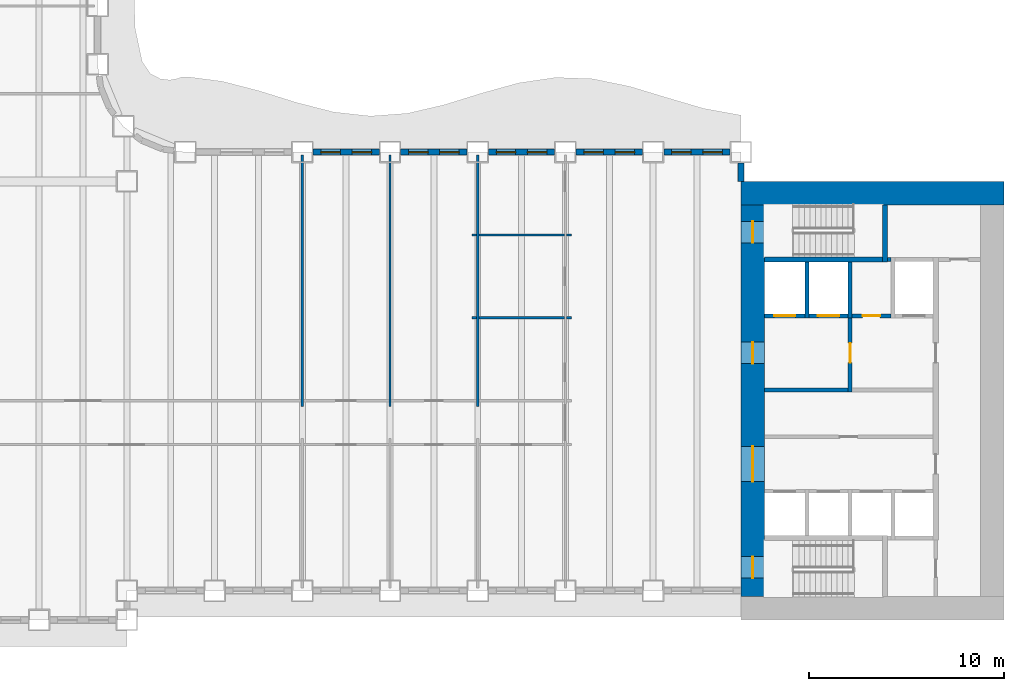
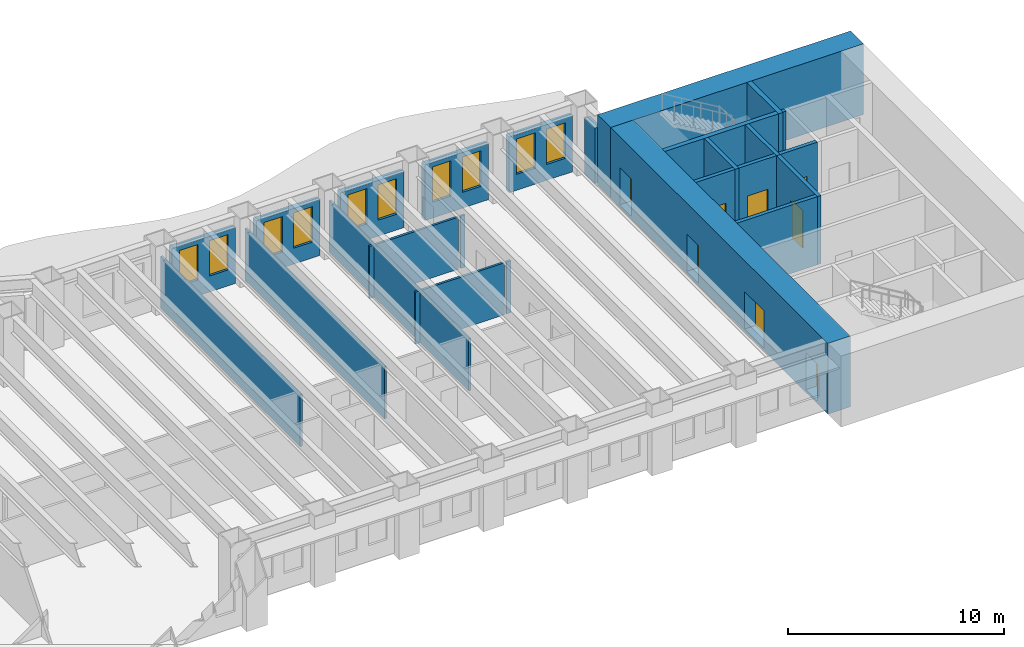
# One storey, part 6 of 15: 27 walls, 10 windows, 8 doors, 18 openings.
"""IFC4 building model written with IfcOpenShell, lengths in metres."""

from ifc_helpers import new_model, si_unit, direction, frame, frame_2d, origin, place, context, subcontext, project, spatial, rectangle, extrude, material, layer, layer_set, type_object, element, fill, save


model = new_model("IFC4")

# Units and contexts
model_context = context("Model", 3, precision=1e-05, world=origin(), true_north=direction((0.0, 1.0)))
body_context = subcontext(model_context, "Body", "Model", "MODEL_VIEW")
ifc_project = project(units=[si_unit("LENGTHUNIT", "METRE"), si_unit("AREAUNIT", "SQUARE_METRE"), si_unit("VOLUMEUNIT", "CUBIC_METRE"), si_unit("PLANEANGLEUNIT", "RADIAN"), si_unit("MASSUNIT", "GRAM", prefix="KILO")], contexts=[model_context])

# Site, building, storey
site_placement = place(None, origin())
site = spatial("IfcSite", under=ifc_project, at=site_placement, CompositionType="ELEMENT")
building_placement = place(site_placement, origin())
building = spatial("IfcBuilding", under=site, at=building_placement, Name="Sennacour Bend Tower", CompositionType="ELEMENT")
storey_placement = place(building_placement, frame((0.0, 0.0, 65.0)))
storey = spatial("IfcBuildingStorey", under=building, at=storey_placement, Name="L14", CompositionType="ELEMENT", Elevation=65.0)

# Wall
ifc_material_1 = material(Name="Concrete C80/95", Category="concrete")
ifc_layer_1 = layer(ifc_material_1, 1.199951171875, Name="Concrete C80/95", Category="concrete")
ifc_layer_set_1 = layer_set([ifc_layer_1], Name="Concrete C80/95")
wall_type_1 = type_object("IfcWallType", Name="Core wall 1200 C80/95", PredefinedType="SHEAR", material=ifc_layer_set_1)
wall_1_placement = place(storey_placement, frame((54.0, 21.89990234375, -0.14990234375), z_axis=(0.0, 0.0, 1.0), x_axis=(1.0, 0.0, 0.0)))
element("IfcWall", 1, at=wall_1_placement, inside=storey, type_object=wall_type_1, Name="Core A wall L14 N", PredefinedType="SHEAR", context=body_context, shape_type="SweptSolid", body=[
    extrude(rectangle(XDim=13.5, YDim=1.199951171875, at=frame_2d((6.75, 0.0))), origin(), (0.0, 0.0, 1.0), 4.0),
])

# Wall, openings, doors
wall_2_placement = place(storey_placement, frame((54.60009765625, 1.199951171875, -0.14990234375), z_axis=(0.0, 0.0, 1.0), x_axis=(0.0, 1.0, 0.0)))
wall_2 = element("IfcWall", 2, at=wall_2_placement, inside=storey, type_object=wall_type_1, Name="Core A wall L14 W", PredefinedType="SHEAR", context=body_context, shape_type="SweptSolid", body=[
    extrude(rectangle(XDim=20.10009765625, YDim=1.199951171875, at=frame_2d((10.050048828125, 0.0))), origin(), (0.0, 0.0, 1.0), 4.0),
])
opening_1_placement = place(wall_2_placement, frame((5.89990234375, 0.0, 0.14990234375)))
opening_1 = element("IfcOpeningElement", 3, at=opening_1_placement, cuts=wall_2, Name="Opening CD", PredefinedType="OPENING", context=body_context, shape_type="SweptSolid", body=[
    extrude(rectangle(XDim=1.800048828125, YDim=2.10009765625, at=frame_2d((0.89990234375, 1.050048828125))), frame((0.0, 0.60986328125, 0.0), z_axis=(0.0, -1.0, 0.0), x_axis=(1.0, 0.0, 0.0)), (0.0, 0.0, 1.0), 1.219970703125),
])
opening_2_placement = place(wall_2_placement, frame((11.949951171875, 0.0, 0.14990234375)))
opening_2 = element("IfcOpeningElement", 4, at=opening_2_placement, cuts=wall_2, Name="Opening FD", PredefinedType="OPENING", context=body_context, shape_type="SweptSolid", body=[
    extrude(rectangle(XDim=1.10009765625, YDim=2.10009765625, at=frame_2d((0.550048828125, 1.050048828125))), frame((0.0, 0.60986328125, 0.0), z_axis=(0.0, -1.0, 0.0), x_axis=(1.0, 0.0, 0.0)), (0.0, 0.0, 1.0), 1.219970703125),
])
opening_3_placement = place(wall_2_placement, frame((0.949951171875, 0.0, 0.14990234375)))
opening_3 = element("IfcOpeningElement", 5, at=opening_3_placement, cuts=wall_2, Name="Opening SD", PredefinedType="OPENING", context=body_context, shape_type="SweptSolid", body=[
    extrude(rectangle(XDim=1.10009765625, YDim=2.10009765625, at=frame_2d((0.550048828125, 1.050048828125))), frame((0.0, 0.60986328125, 0.0), z_axis=(0.0, -1.0, 0.0), x_axis=(1.0, 0.0, 0.0)), (0.0, 0.0, 1.0), 1.219970703125),
])
opening_4_placement = place(wall_2_placement, frame((18.14990234375, 0.0, 0.14990234375)))
opening_4 = element("IfcOpeningElement", 6, at=opening_4_placement, cuts=wall_2, Name="Opening SD", PredefinedType="OPENING", context=body_context, shape_type="SweptSolid", body=[
    extrude(rectangle(XDim=1.10009765625, YDim=2.10009765625, at=frame_2d((0.550048828125, 1.050048828125))), frame((0.0, 0.60986328125, 0.0), z_axis=(0.0, -1.0, 0.0), x_axis=(1.0, 0.0, 0.0)), (0.0, 0.0, 1.0), 1.219970703125),
])
ifc_material_2 = material(Name="Painted steel", Category="steel")
door_type_1 = type_object("IfcDoorType", Name="DR-FFL-1100", OperationType="NOTDEFINED", PredefinedType="DOOR", material=ifc_material_2)
door_1_placement = place(opening_2_placement, origin())
door_1 = element("IfcDoor", 7, at=door_1_placement, inside=storey, type_object=door_type_1, Name="Door", OperationType="SINGLE_SWING_RIGHT", OverallHeight=2.10009765625, OverallWidth=1.10009765625, PredefinedType="DOOR", context=body_context, shape_type="SweptSolid", body=[
    extrude(rectangle(XDim=1.10009765625, YDim=2.10009765625, at=frame_2d((0.550048828125, 1.050048828125))), frame((0.0, 0.02490234375, 0.0), z_axis=(0.0, -1.0, 0.0), x_axis=(1.0, 0.0, 0.0)), (0.0, 0.0, 1.0), 0.050048828125),
])
fill(opening_2, door_1)
door_type_2 = type_object("IfcDoorType", Name="DR-LOBBY-1800", OperationType="NOTDEFINED", PredefinedType="DOOR", material=ifc_material_2)
door_2_placement = place(opening_1_placement, origin())
door_2 = element("IfcDoor", 8, at=door_2_placement, inside=storey, type_object=door_type_2, Name="Door", OperationType="DOUBLE_DOOR_SINGLE_SWING", OverallHeight=2.10009765625, OverallWidth=1.800048828125, PredefinedType="DOOR", context=body_context, shape_type="SweptSolid", body=[
    extrude(rectangle(XDim=1.800048828125, YDim=2.10009765625, at=frame_2d((0.89990234375, 1.050048828125))), frame((0.0, 0.02490234375, 0.0), z_axis=(0.0, -1.0, 0.0), x_axis=(1.0, 0.0, 0.0)), (0.0, 0.0, 1.0), 0.050048828125),
])
fill(opening_1, door_2)
door_type_3 = type_object("IfcDoorType", Name="DR-STAIR-1100", OperationType="NOTDEFINED", PredefinedType="DOOR", material=ifc_material_2)
door_3_placement = place(opening_3_placement, origin())
door_3 = element("IfcDoor", 9, at=door_3_placement, inside=storey, type_object=door_type_3, Name="Door", OperationType="SINGLE_SWING_LEFT", OverallHeight=2.10009765625, OverallWidth=1.10009765625, PredefinedType="DOOR", context=body_context, shape_type="SweptSolid", body=[
    extrude(rectangle(XDim=1.10009765625, YDim=2.10009765625, at=frame_2d((0.550048828125, 1.050048828125))), frame((0.0, 0.02490234375, 0.0), z_axis=(0.0, -1.0, 0.0), x_axis=(1.0, 0.0, 0.0)), (0.0, 0.0, 1.0), 0.050048828125),
])
fill(opening_3, door_3)
door_4_placement = place(opening_4_placement, origin())
door_4 = element("IfcDoor", 10, at=door_4_placement, inside=storey, type_object=door_type_3, Name="Door", OperationType="SINGLE_SWING_RIGHT", OverallHeight=2.10009765625, OverallWidth=1.10009765625, PredefinedType="DOOR", context=body_context, shape_type="SweptSolid", body=[
    extrude(rectangle(XDim=1.10009765625, YDim=2.10009765625, at=frame_2d((0.550048828125, 1.050048828125))), frame((0.0, 0.02490234375, 0.0), z_axis=(0.0, -1.0, 0.0), x_axis=(1.0, 0.0, 0.0)), (0.0, 0.0, 1.0), 0.050048828125),
])
fill(opening_4, door_4)

# Walls
ifc_material_3 = material(Name="Plasterboard partition on steel studs", Category="steel")
ifc_layer_2 = layer(ifc_material_3, 0.1201171875, Name="Plasterboard partition on steel studs", Category="steel")
ifc_layer_set_2 = layer_set([ifc_layer_2], Name="Plasterboard partition on steel studs")
wall_type_2 = type_object("IfcWallType", Name="Partition 120", PredefinedType="PARTITIONING", material=ifc_layer_set_2)
for number, where, z_axis, x_axis, name in (
    (11, (31.5, 10.949951171875, 0.0), (0.0, 0.0, 1.0), (0.0, 1.0, 0.0), "P-L14-W024a"),
    (12, (36.0, 10.949951171875, 0.0), (0.0, 0.0, 1.0), (0.0, 1.0, 0.0), "P-L14-W026a"),
    (13, (40.5, 10.949951171875, 0.0), (0.0, 0.0, 1.0), (0.0, 1.0, 0.0), "P-L14-W028a"),
):
    element("IfcWall", number, at=place(storey_placement, frame(where, z_axis=z_axis, x_axis=x_axis)), inside=storey, type_object=wall_type_2, Name=name, PredefinedType="PARTITIONING", context=body_context, shape_type="SweptSolid", body=[
        extrude(rectangle(XDim=12.900146484375, YDim=0.1201171875, at=frame_2d((6.4501953125, 0.0))), origin(), (0.0, 0.0, 1.0), 2.93798828125),
    ])
wall_3_placement = place(storey_placement, frame((40.199951171875, 15.5, 0.0), z_axis=(0.0, 0.0, 1.0), x_axis=(1.0, 0.0, 0.0)))
element("IfcWall", 14, at=wall_3_placement, inside=storey, type_object=wall_type_2, Name="P-L14-W055aa", PredefinedType="PARTITIONING", context=body_context, shape_type="SweptSolid", body=[
    extrude(rectangle(XDim=0.239990234375, YDim=0.1201171875, at=frame_2d((0.1201171875, 0.0))), origin(), (0.0, 0.0, 1.0), 2.93798828125),
])
wall_4_placement = place(storey_placement, frame((40.56005859375, 15.5, 0.0), z_axis=(0.0, 0.0, 1.0), x_axis=(1.0, 0.0, 0.0)))
element("IfcWall", 15, at=wall_4_placement, inside=storey, type_object=wall_type_2, Name="P-L14-W055ab", PredefinedType="PARTITIONING", context=body_context, shape_type="SweptSolid", body=[
    extrude(rectangle(XDim=4.3798828125, YDim=0.1201171875, at=frame_2d((2.18994140625, 0.0))), origin(), (0.0, 0.0, 1.0), 2.93798828125),
])
for number, where, z_axis, x_axis, name in (
    (16, (45.06005859375, 15.5, 0.0), (0.0, 0.0, 1.0), (1.0, 0.0, 0.0), "P-L14-W055ac"),
    (17, (40.199951171875, 19.75, 0.0), (0.0, 0.0, 1.0), (1.0, 0.0, 0.0), "P-L14-W064aa"),
):
    element("IfcWall", number, at=place(storey_placement, frame(where, z_axis=z_axis, x_axis=x_axis)), inside=storey, type_object=wall_type_2, Name=name, PredefinedType="PARTITIONING", context=body_context, shape_type="SweptSolid", body=[
        extrude(rectangle(XDim=0.239990234375, YDim=0.1201171875, at=frame_2d((0.1201171875, 0.0))), origin(), (0.0, 0.0, 1.0), 2.93798828125),
    ])
wall_5_placement = place(storey_placement, frame((40.56005859375, 19.75, 0.0), z_axis=(0.0, 0.0, 1.0), x_axis=(1.0, 0.0, 0.0)))
element("IfcWall", 18, at=wall_5_placement, inside=storey, type_object=wall_type_2, Name="P-L14-W064ab", PredefinedType="PARTITIONING", context=body_context, shape_type="SweptSolid", body=[
    extrude(rectangle(XDim=4.3798828125, YDim=0.1201171875, at=frame_2d((2.18994140625, 0.0))), origin(), (0.0, 0.0, 1.0), 2.93798828125),
])
wall_6_placement = place(storey_placement, frame((45.06005859375, 19.75, 0.0), z_axis=(0.0, 0.0, 1.0), x_axis=(1.0, 0.0, 0.0)))
element("IfcWall", 19, at=wall_6_placement, inside=storey, type_object=wall_type_2, Name="P-L14-W064ac", PredefinedType="PARTITIONING", context=body_context, shape_type="SweptSolid", body=[
    extrude(rectangle(XDim=0.239990234375, YDim=0.1201171875, at=frame_2d((0.1201171875, 0.0))), origin(), (0.0, 0.0, 1.0), 2.93798828125),
])
ifc_material_4 = material(Name="Fire-rated plasterboard partition on steel studs", Category="steel")
ifc_layer_3 = layer(ifc_material_4, 0.199951171875, Name="Fire-rated plasterboard partition on steel studs", Category="steel")
ifc_layer_set_3 = layer_set([ifc_layer_3], Name="Fire-rated plasterboard partition on steel studs")
wall_type_3 = type_object("IfcWallType", Name="Rated partition 200", PredefinedType="PARTITIONING", material=ifc_layer_set_3)
wall_7_placement = place(storey_placement, frame((55.199951171875, 11.800048828125, 0.0), z_axis=(0.0, 0.0, 1.0), x_axis=(1.0, 0.0, 0.0)))
element("IfcWall", 20, at=wall_7_placement, inside=storey, type_object=wall_type_3, Name="P-L14-W054a", PredefinedType="PARTITIONING", context=body_context, shape_type="SweptSolid", body=[
    extrude(rectangle(XDim=4.300048828125, YDim=0.199951171875, at=frame_2d((2.14990234375, 0.0))), origin(), (0.0, 0.0, 1.0), 3.85009765625),
])

# Wall, opening, door
wall_8_placement = place(storey_placement, frame((59.699951171875, 15.60009765625, 0.0), z_axis=(0.0, 0.0, 1.0), x_axis=(1.0, 0.0, 0.0)))
wall_8 = element("IfcWall", 21, at=wall_8_placement, inside=storey, type_object=wall_type_3, Name="P-L14-W057", PredefinedType="PARTITIONING", context=body_context, shape_type="SweptSolid", body=[
    extrude(rectangle(XDim=2.0, YDim=0.199951171875, at=frame_2d((1.0, 0.0))), origin(), (0.0, 0.0, 1.0), 3.85009765625),
])
opening_5_placement = place(wall_8_placement, frame((0.550048828125, 0.0, 0.0)))
opening_5 = element("IfcOpeningElement", 22, at=opening_5_placement, cuts=wall_8, Name="Opening SV", PredefinedType="OPENING", context=body_context, shape_type="SweptSolid", body=[
    extrude(rectangle(XDim=0.89990234375, YDim=2.10009765625, at=frame_2d((0.449951171875, 1.050048828125))), frame((0.0, 0.10986328125, 0.0), z_axis=(0.0, -1.0, 0.0), x_axis=(1.0, 0.0, 0.0)), (0.0, 0.0, 1.0), 0.219970703125),
])
door_type_4 = type_object("IfcDoorType", Name="DR-SERVICE-900", OperationType="NOTDEFINED", PredefinedType="DOOR", material=ifc_material_2)
door_5_placement = place(opening_5_placement, origin())
door_5 = element("IfcDoor", 23, at=door_5_placement, inside=storey, type_object=door_type_4, Name="Door", OperationType="SINGLE_SWING_RIGHT", OverallHeight=2.10009765625, OverallWidth=0.89990234375, PredefinedType="DOOR", context=body_context, shape_type="SweptSolid", body=[
    extrude(rectangle(XDim=0.89990234375, YDim=2.10009765625, at=frame_2d((0.449951171875, 1.050048828125))), frame((0.0, 0.02490234375, 0.0), z_axis=(0.0, -1.0, 0.0), x_axis=(1.0, 0.0, 0.0)), (0.0, 0.0, 1.0), 0.050048828125),
])
fill(opening_5, door_5)

# Wall
wall_9_placement = place(storey_placement, frame((61.52490234375, 18.5, 0.0), z_axis=(0.0, 0.0, 1.0), x_axis=(1.0, 0.0, 0.0)))
element("IfcWall", 24, at=wall_9_placement, inside=storey, type_object=wall_type_3, Name="P-L14-W061", PredefinedType="PARTITIONING", context=body_context, shape_type="SweptSolid", body=[
    extrude(rectangle(XDim=0.175048828125, YDim=0.199951171875, at=frame_2d((0.08740234375, 0.0))), origin(), (0.0, 0.0, 1.0), 3.85009765625),
])

# Wall, opening, door
ifc_layer_4 = layer(ifc_material_4, 0.199951171875, Name="Fire-rated plasterboard partition on steel studs", Category="steel")
ifc_layer_set_4 = layer_set([ifc_layer_4], Name="Fire-rated plasterboard partition on steel studs")
wall_type_4 = type_object("IfcWallType", Name="Rated partition 200 EI 90", PredefinedType="PARTITIONING", material=ifc_layer_set_4)
wall_10_placement = place(storey_placement, frame((59.60009765625, 11.699951171875, 0.0), z_axis=(0.0, 0.0, 1.0), x_axis=(0.0, 1.0, 0.0)))
wall_10 = element("IfcWall", 25, at=wall_10_placement, inside=storey, type_object=wall_type_4, Name="P-L14-W034", PredefinedType="PARTITIONING", context=body_context, shape_type="SweptSolid", body=[
    extrude(rectangle(XDim=3.800048828125, YDim=0.199951171875, at=frame_2d((1.89990234375, 0.0))), origin(), (0.0, 0.0, 1.0), 3.85009765625),
])
opening_6_placement = place(wall_10_placement, frame((1.5, 0.0, 0.0)))
opening_6 = element("IfcOpeningElement", 26, at=opening_6_placement, cuts=wall_10, Name="Opening FD2", PredefinedType="OPENING", context=body_context, shape_type="SweptSolid", body=[
    extrude(rectangle(XDim=1.0, YDim=2.10009765625, at=frame_2d((0.5, 1.050048828125))), frame((0.0, 0.10986328125, 0.0), z_axis=(0.0, -1.0, 0.0), x_axis=(1.0, 0.0, 0.0)), (0.0, 0.0, 1.0), 0.219970703125),
])
door_type_5 = type_object("IfcDoorType", Name="DR-FFL-1000", OperationType="NOTDEFINED", PredefinedType="DOOR", material=ifc_material_2)
door_6_placement = place(opening_6_placement, origin())
door_6 = element("IfcDoor", 27, at=door_6_placement, inside=storey, type_object=door_type_5, Name="Door", OperationType="SINGLE_SWING_RIGHT", OverallHeight=2.10009765625, OverallWidth=1.0, PredefinedType="DOOR", context=body_context, shape_type="SweptSolid", body=[
    extrude(rectangle(XDim=1.0, YDim=2.10009765625, at=frame_2d((0.5, 1.050048828125))), frame((0.0, 0.02490234375, 0.0), z_axis=(0.0, -1.0, 0.0), x_axis=(1.0, 0.0, 0.0)), (0.0, 0.0, 1.0), 0.050048828125),
])
fill(opening_6, door_6)

# Wall
ifc_material_5 = material(Name="Warm limestone cladding", Category="masonry")
ifc_layer_5 = layer(ifc_material_5, 0.050048828125, Name="Warm limestone cladding", Category="masonry")
ifc_material_6 = material(Name="Precast concrete C40/50", Category="concrete")
ifc_layer_6 = layer(ifc_material_6, 0.25, Name="Precast concrete C40/50", Category="concrete")
ifc_layer_set_5 = layer_set([ifc_layer_5, ifc_layer_6], Name="Precast concrete C40/50 with limestone cladding")
wall_type_5 = type_object("IfcWallType", Name="STONE-CLAD PRECAST SPANDREL 300", PredefinedType="STANDARD", material=ifc_layer_set_5)
wall_11_placement = place(storey_placement, frame((54.0, 22.5, 0.0), z_axis=(0.0, 0.0, 1.0), x_axis=(0.0, 1.0, 0.0)))
element("IfcWall", 28, at=wall_11_placement, inside=storey, type_object=wall_type_5, Name="Stone spandrel and pier wall L14 07.00", PredefinedType="STANDARD", context=body_context, shape_type="SweptSolid", body=[
    extrude(rectangle(XDim=0.949951171875, YDim=0.300048828125, at=frame_2d((0.47509765625, 0.0))), origin(), (0.0, 0.0, 1.0), 3.14404296875),
])

# Wall, openings, windows
wall_12_placement = place(storey_placement, frame((53.449951171875, 24.0, 0.0), z_axis=(0.0, 0.0, 1.0), x_axis=(-1.0, 0.0, 0.0)))
wall_12 = element("IfcWall", 29, at=wall_12_placement, inside=storey, type_object=wall_type_5, Name="Stone spandrel and pier wall L14 08.00", PredefinedType="STANDARD", context=body_context, shape_type="SweptSolid", body=[
    extrude(rectangle(XDim=3.39990234375, YDim=0.300048828125, at=frame_2d((1.699951171875, 0.0))), origin(), (0.0, 0.0, 1.0), 3.14404296875),
])
opening_7_placement = place(wall_12_placement, frame((0.39990234375, 0.0, 0.89990234375)))
opening_7 = element("IfcOpeningElement", 30, at=opening_7_placement, cuts=wall_12, Name="Opening W8", PredefinedType="OPENING", context=body_context, shape_type="SweptSolid", body=[
    extrude(rectangle(XDim=1.0, YDim=2.0, at=frame_2d((0.5, 1.0))), frame((0.0, 0.16015625, 0.0), z_axis=(0.0, -1.0, 0.0), x_axis=(1.0, 0.0, 0.0)), (0.0, 0.0, 1.0), 0.320068359375),
])
opening_8_placement = place(wall_12_placement, frame((2.0, 0.0, 0.89990234375)))
opening_8 = element("IfcOpeningElement", 31, at=opening_8_placement, cuts=wall_12, Name="Opening W8", PredefinedType="OPENING", context=body_context, shape_type="SweptSolid", body=[
    extrude(rectangle(XDim=1.0, YDim=2.0, at=frame_2d((0.5, 1.0))), frame((0.0, 0.16015625, 0.0), z_axis=(0.0, -1.0, 0.0), x_axis=(1.0, 0.0, 0.0)), (0.0, 0.0, 1.0), 0.320068359375),
])
ifc_material_7 = material(Name="Clear low-emissivity glass", Category="glass")
window_type = type_object("IfcWindowType", Name="WIN-RIBBON-1000x2000", PartitioningType="SINGLE_PANEL", PredefinedType="WINDOW", material=ifc_material_7)
window_1_placement = place(opening_7_placement, origin())
window_1 = element("IfcWindow", 32, at=window_1_placement, inside=storey, type_object=window_type, Name="Ribbon window L14 08.00.0", OverallHeight=2.0, OverallWidth=1.0, PartitioningType="SINGLE_PANEL", PredefinedType="WINDOW", context=body_context, shape_type="SweptSolid", body=[
    extrude(rectangle(XDim=1.0, YDim=2.0, at=frame_2d((0.5, 1.0))), frame((0.0, 0.030029296875, 0.0), z_axis=(0.0, -1.0, 0.0), x_axis=(1.0, 0.0, 0.0)), (0.0, 0.0, 1.0), 0.06005859375),
])
fill(opening_7, window_1)
window_2_placement = place(opening_8_placement, origin())
window_2 = element("IfcWindow", 33, at=window_2_placement, inside=storey, type_object=window_type, Name="Ribbon window L14 08.00.1", OverallHeight=2.0, OverallWidth=1.0, PartitioningType="SINGLE_PANEL", PredefinedType="WINDOW", context=body_context, shape_type="SweptSolid", body=[
    extrude(rectangle(XDim=1.0, YDim=2.0, at=frame_2d((0.5, 1.0))), frame((0.0, 0.030029296875, 0.0), z_axis=(0.0, -1.0, 0.0), x_axis=(1.0, 0.0, 0.0)), (0.0, 0.0, 1.0), 0.06005859375),
])
fill(opening_8, window_2)

wall_13_placement = place(storey_placement, frame((48.949951171875, 24.0, 0.0), z_axis=(0.0, 0.0, 1.0), x_axis=(-1.0, 0.0, 0.0)))
wall_13 = element("IfcWall", 34, at=wall_13_placement, inside=storey, type_object=wall_type_5, Name="Stone spandrel and pier wall L14 08.01", PredefinedType="STANDARD", context=body_context, shape_type="SweptSolid", body=[
    extrude(rectangle(XDim=3.39990234375, YDim=0.300048828125, at=frame_2d((1.699951171875, 0.0))), origin(), (0.0, 0.0, 1.0), 3.14404296875),
])
opening_9_placement = place(wall_13_placement, frame((0.39990234375, 0.0, 0.89990234375)))
opening_9 = element("IfcOpeningElement", 35, at=opening_9_placement, cuts=wall_13, Name="Opening W8", PredefinedType="OPENING", context=body_context, shape_type="SweptSolid", body=[
    extrude(rectangle(XDim=1.0, YDim=2.0, at=frame_2d((0.5, 1.0))), frame((0.0, 0.16015625, 0.0), z_axis=(0.0, -1.0, 0.0), x_axis=(1.0, 0.0, 0.0)), (0.0, 0.0, 1.0), 0.320068359375),
])
opening_10_placement = place(wall_13_placement, frame((2.0, 0.0, 0.89990234375)))
opening_10 = element("IfcOpeningElement", 36, at=opening_10_placement, cuts=wall_13, Name="Opening W8", PredefinedType="OPENING", context=body_context, shape_type="SweptSolid", body=[
    extrude(rectangle(XDim=1.0, YDim=2.0, at=frame_2d((0.5, 1.0))), frame((0.0, 0.16015625, 0.0), z_axis=(0.0, -1.0, 0.0), x_axis=(1.0, 0.0, 0.0)), (0.0, 0.0, 1.0), 0.320068359375),
])
window_3_placement = place(opening_9_placement, origin())
window_3 = element("IfcWindow", 37, at=window_3_placement, inside=storey, type_object=window_type, Name="Ribbon window L14 08.01.0", OverallHeight=2.0, OverallWidth=1.0, PartitioningType="SINGLE_PANEL", PredefinedType="WINDOW", context=body_context, shape_type="SweptSolid", body=[
    extrude(rectangle(XDim=1.0, YDim=2.0, at=frame_2d((0.5, 1.0))), frame((0.0, 0.030029296875, 0.0), z_axis=(0.0, -1.0, 0.0), x_axis=(1.0, 0.0, 0.0)), (0.0, 0.0, 1.0), 0.06005859375),
])
fill(opening_9, window_3)
window_4_placement = place(opening_10_placement, origin())
window_4 = element("IfcWindow", 38, at=window_4_placement, inside=storey, type_object=window_type, Name="Ribbon window L14 08.01.1", OverallHeight=2.0, OverallWidth=1.0, PartitioningType="SINGLE_PANEL", PredefinedType="WINDOW", context=body_context, shape_type="SweptSolid", body=[
    extrude(rectangle(XDim=1.0, YDim=2.0, at=frame_2d((0.5, 1.0))), frame((0.0, 0.030029296875, 0.0), z_axis=(0.0, -1.0, 0.0), x_axis=(1.0, 0.0, 0.0)), (0.0, 0.0, 1.0), 0.06005859375),
])
fill(opening_10, window_4)

wall_14_placement = place(storey_placement, frame((44.449951171875, 24.0, 0.0), z_axis=(0.0, 0.0, 1.0), x_axis=(-1.0, 0.0, 0.0)))
wall_14 = element("IfcWall", 39, at=wall_14_placement, inside=storey, type_object=wall_type_5, Name="Stone spandrel and pier wall L14 08.02", PredefinedType="STANDARD", context=body_context, shape_type="SweptSolid", body=[
    extrude(rectangle(XDim=3.39990234375, YDim=0.300048828125, at=frame_2d((1.699951171875, 0.0))), origin(), (0.0, 0.0, 1.0), 3.14404296875),
])
opening_11_placement = place(wall_14_placement, frame((0.39990234375, 0.0, 0.89990234375)))
opening_11 = element("IfcOpeningElement", 40, at=opening_11_placement, cuts=wall_14, Name="Opening W8", PredefinedType="OPENING", context=body_context, shape_type="SweptSolid", body=[
    extrude(rectangle(XDim=1.0, YDim=2.0, at=frame_2d((0.5, 1.0))), frame((0.0, 0.16015625, 0.0), z_axis=(0.0, -1.0, 0.0), x_axis=(1.0, 0.0, 0.0)), (0.0, 0.0, 1.0), 0.320068359375),
])
opening_12_placement = place(wall_14_placement, frame((2.0, 0.0, 0.89990234375)))
opening_12 = element("IfcOpeningElement", 41, at=opening_12_placement, cuts=wall_14, Name="Opening W8", PredefinedType="OPENING", context=body_context, shape_type="SweptSolid", body=[
    extrude(rectangle(XDim=1.0, YDim=2.0, at=frame_2d((0.5, 1.0))), frame((0.0, 0.16015625, 0.0), z_axis=(0.0, -1.0, 0.0), x_axis=(1.0, 0.0, 0.0)), (0.0, 0.0, 1.0), 0.320068359375),
])
window_5_placement = place(opening_11_placement, origin())
window_5 = element("IfcWindow", 42, at=window_5_placement, inside=storey, type_object=window_type, Name="Ribbon window L14 08.02.0", OverallHeight=2.0, OverallWidth=1.0, PartitioningType="SINGLE_PANEL", PredefinedType="WINDOW", context=body_context, shape_type="SweptSolid", body=[
    extrude(rectangle(XDim=1.0, YDim=2.0, at=frame_2d((0.5, 1.0))), frame((0.0, 0.030029296875, 0.0), z_axis=(0.0, -1.0, 0.0), x_axis=(1.0, 0.0, 0.0)), (0.0, 0.0, 1.0), 0.06005859375),
])
fill(opening_11, window_5)
window_6_placement = place(opening_12_placement, origin())
window_6 = element("IfcWindow", 43, at=window_6_placement, inside=storey, type_object=window_type, Name="Ribbon window L14 08.02.1", OverallHeight=2.0, OverallWidth=1.0, PartitioningType="SINGLE_PANEL", PredefinedType="WINDOW", context=body_context, shape_type="SweptSolid", body=[
    extrude(rectangle(XDim=1.0, YDim=2.0, at=frame_2d((0.5, 1.0))), frame((0.0, 0.030029296875, 0.0), z_axis=(0.0, -1.0, 0.0), x_axis=(1.0, 0.0, 0.0)), (0.0, 0.0, 1.0), 0.06005859375),
])
fill(opening_12, window_6)

wall_15_placement = place(storey_placement, frame((39.949951171875, 24.0, 0.0), z_axis=(0.0, 0.0, 1.0), x_axis=(-1.0, 0.0, 0.0)))
wall_15 = element("IfcWall", 44, at=wall_15_placement, inside=storey, type_object=wall_type_5, Name="Stone spandrel and pier wall L14 08.03", PredefinedType="STANDARD", context=body_context, shape_type="SweptSolid", body=[
    extrude(rectangle(XDim=3.39990234375, YDim=0.300048828125, at=frame_2d((1.699951171875, 0.0))), origin(), (0.0, 0.0, 1.0), 3.14404296875),
])
opening_13_placement = place(wall_15_placement, frame((0.39990234375, 0.0, 0.89990234375)))
opening_13 = element("IfcOpeningElement", 45, at=opening_13_placement, cuts=wall_15, Name="Opening W8", PredefinedType="OPENING", context=body_context, shape_type="SweptSolid", body=[
    extrude(rectangle(XDim=1.0, YDim=2.0, at=frame_2d((0.5, 1.0))), frame((0.0, 0.16015625, 0.0), z_axis=(0.0, -1.0, 0.0), x_axis=(1.0, 0.0, 0.0)), (0.0, 0.0, 1.0), 0.320068359375),
])
opening_14_placement = place(wall_15_placement, frame((2.0, 0.0, 0.89990234375)))
opening_14 = element("IfcOpeningElement", 46, at=opening_14_placement, cuts=wall_15, Name="Opening W8", PredefinedType="OPENING", context=body_context, shape_type="SweptSolid", body=[
    extrude(rectangle(XDim=1.0, YDim=2.0, at=frame_2d((0.5, 1.0))), frame((0.0, 0.16015625, 0.0), z_axis=(0.0, -1.0, 0.0), x_axis=(1.0, 0.0, 0.0)), (0.0, 0.0, 1.0), 0.320068359375),
])
window_7_placement = place(opening_13_placement, origin())
window_7 = element("IfcWindow", 47, at=window_7_placement, inside=storey, type_object=window_type, Name="Ribbon window L14 08.03.0", OverallHeight=2.0, OverallWidth=1.0, PartitioningType="SINGLE_PANEL", PredefinedType="WINDOW", context=body_context, shape_type="SweptSolid", body=[
    extrude(rectangle(XDim=1.0, YDim=2.0, at=frame_2d((0.5, 1.0))), frame((0.0, 0.030029296875, 0.0), z_axis=(0.0, -1.0, 0.0), x_axis=(1.0, 0.0, 0.0)), (0.0, 0.0, 1.0), 0.06005859375),
])
fill(opening_13, window_7)
window_8_placement = place(opening_14_placement, origin())
window_8 = element("IfcWindow", 48, at=window_8_placement, inside=storey, type_object=window_type, Name="Ribbon window L14 08.03.1", OverallHeight=2.0, OverallWidth=1.0, PartitioningType="SINGLE_PANEL", PredefinedType="WINDOW", context=body_context, shape_type="SweptSolid", body=[
    extrude(rectangle(XDim=1.0, YDim=2.0, at=frame_2d((0.5, 1.0))), frame((0.0, 0.030029296875, 0.0), z_axis=(0.0, -1.0, 0.0), x_axis=(1.0, 0.0, 0.0)), (0.0, 0.0, 1.0), 0.06005859375),
])
fill(opening_14, window_8)

wall_16_placement = place(storey_placement, frame((35.449951171875, 24.0, 0.0), z_axis=(0.0, 0.0, 1.0), x_axis=(-1.0, 0.0, 0.0)))
wall_16 = element("IfcWall", 49, at=wall_16_placement, inside=storey, type_object=wall_type_5, Name="Stone spandrel and pier wall L14 08.04", PredefinedType="STANDARD", context=body_context, shape_type="SweptSolid", body=[
    extrude(rectangle(XDim=3.39990234375, YDim=0.300048828125, at=frame_2d((1.699951171875, 0.0))), origin(), (0.0, 0.0, 1.0), 3.14404296875),
])
opening_15_placement = place(wall_16_placement, frame((0.39990234375, 0.0, 0.89990234375)))
opening_15 = element("IfcOpeningElement", 50, at=opening_15_placement, cuts=wall_16, Name="Opening W8", PredefinedType="OPENING", context=body_context, shape_type="SweptSolid", body=[
    extrude(rectangle(XDim=1.0, YDim=2.0, at=frame_2d((0.5, 1.0))), frame((0.0, 0.16015625, 0.0), z_axis=(0.0, -1.0, 0.0), x_axis=(1.0, 0.0, 0.0)), (0.0, 0.0, 1.0), 0.320068359375),
])
opening_16_placement = place(wall_16_placement, frame((2.0, 0.0, 0.89990234375)))
opening_16 = element("IfcOpeningElement", 51, at=opening_16_placement, cuts=wall_16, Name="Opening W8", PredefinedType="OPENING", context=body_context, shape_type="SweptSolid", body=[
    extrude(rectangle(XDim=1.0, YDim=2.0, at=frame_2d((0.5, 1.0))), frame((0.0, 0.16015625, 0.0), z_axis=(0.0, -1.0, 0.0), x_axis=(1.0, 0.0, 0.0)), (0.0, 0.0, 1.0), 0.320068359375),
])
window_9_placement = place(opening_15_placement, origin())
window_9 = element("IfcWindow", 52, at=window_9_placement, inside=storey, type_object=window_type, Name="Ribbon window L14 08.04.0", OverallHeight=2.0, OverallWidth=1.0, PartitioningType="SINGLE_PANEL", PredefinedType="WINDOW", context=body_context, shape_type="SweptSolid", body=[
    extrude(rectangle(XDim=1.0, YDim=2.0, at=frame_2d((0.5, 1.0))), frame((0.0, 0.030029296875, 0.0), z_axis=(0.0, -1.0, 0.0), x_axis=(1.0, 0.0, 0.0)), (0.0, 0.0, 1.0), 0.06005859375),
])
fill(opening_15, window_9)
window_10_placement = place(opening_16_placement, origin())
window_10 = element("IfcWindow", 53, at=window_10_placement, inside=storey, type_object=window_type, Name="Ribbon window L14 08.04.1", OverallHeight=2.0, OverallWidth=1.0, PartitioningType="SINGLE_PANEL", PredefinedType="WINDOW", context=body_context, shape_type="SweptSolid", body=[
    extrude(rectangle(XDim=1.0, YDim=2.0, at=frame_2d((0.5, 1.0))), frame((0.0, 0.030029296875, 0.0), z_axis=(0.0, -1.0, 0.0), x_axis=(1.0, 0.0, 0.0)), (0.0, 0.0, 1.0), 0.06005859375),
])
fill(opening_16, window_10)

# Walls
ifc_material_8 = material(Name="Concrete C50/60", Category="concrete")
ifc_layer_7 = layer(ifc_material_8, 0.199951171875, Name="Concrete C50/60", Category="concrete")
ifc_layer_set_6 = layer_set([ifc_layer_7], Name="Concrete C50/60")
wall_type_6 = type_object("IfcWallType", Name="Shaft wall 200", PredefinedType="SOLIDWALL", material=ifc_layer_set_6)
for number, where, z_axis, x_axis, name in (
    (54, (57.39990234375, 15.5, 0.0), (0.0, 0.0, 1.0), (0.0, 1.0, 0.0), "P-L14-W032"),
    (55, (59.60009765625, 15.5, 0.0), (0.0, 0.0, 1.0), (0.0, 1.0, 0.0), "P-L14-W035"),
):
    element("IfcWall", number, at=place(storey_placement, frame(where, z_axis=z_axis, x_axis=x_axis)), inside=storey, type_object=wall_type_6, Name=name, PredefinedType="SOLIDWALL", context=body_context, shape_type="SweptSolid", body=[
        extrude(rectangle(XDim=2.875, YDim=0.199951171875, at=frame_2d((1.4375, 0.0))), origin(), (0.0, 0.0, 1.0), 3.85009765625),
    ])

# Wall, opening, door
wall_17_placement = place(storey_placement, frame((55.199951171875, 15.60009765625, 0.0), z_axis=(0.0, 0.0, 1.0), x_axis=(1.0, 0.0, 0.0)))
wall_17 = element("IfcWall", 56, at=wall_17_placement, inside=storey, type_object=wall_type_6, Name="P-L14-W056a", PredefinedType="SOLIDWALL", context=body_context, shape_type="SweptSolid", body=[
    extrude(rectangle(XDim=2.10009765625, YDim=0.199951171875, at=frame_2d((1.050048828125, 0.0))), origin(), (0.0, 0.0, 1.0), 3.85009765625),
])
opening_17_placement = place(wall_17_placement, frame((0.5, 0.0, 0.011962890625)))
opening_17 = element("IfcOpeningElement", 57, at=opening_17_placement, cuts=wall_17, Name="Opening FLD", PredefinedType="OPENING", context=body_context, shape_type="SweptSolid", body=[
    extrude(rectangle(XDim=1.10009765625, YDim=2.10009765625, at=frame_2d((0.550048828125, 1.050048828125))), frame((0.0, 0.10986328125, 0.0), z_axis=(0.0, -1.0, 0.0), x_axis=(1.0, 0.0, 0.0)), (0.0, 0.0, 1.0), 0.219970703125),
])
ifc_material_9 = material(Name="Stainless steel", Category="steel")
door_type_6 = type_object("IfcDoorType", Name="DR-FF-LANDING-1100", OperationType="NOTDEFINED", PredefinedType="DOOR", material=ifc_material_9)
door_7_placement = place(opening_17_placement, origin())
door_7 = element("IfcDoor", 58, at=door_7_placement, inside=storey, type_object=door_type_6, Name="Fire service lift landing door FA1", OperationType="SLIDING_TO_LEFT", OverallHeight=2.10009765625, OverallWidth=1.10009765625, PredefinedType="DOOR", context=body_context, shape_type="SweptSolid", body=[
    extrude(rectangle(XDim=1.10009765625, YDim=2.10009765625, at=frame_2d((0.550048828125, 1.050048828125))), frame((0.0, 0.02490234375, 0.0), z_axis=(0.0, -1.0, 0.0), x_axis=(1.0, 0.0, 0.0)), (0.0, 0.0, 1.0), 0.050048828125),
])
fill(opening_17, door_7)

wall_18_placement = place(storey_placement, frame((57.5, 15.60009765625, 0.0), z_axis=(0.0, 0.0, 1.0), x_axis=(1.0, 0.0, 0.0)))
wall_18 = element("IfcWall", 59, at=wall_18_placement, inside=storey, type_object=wall_type_6, Name="P-L14-W056b", PredefinedType="SOLIDWALL", context=body_context, shape_type="SweptSolid", body=[
    extrude(rectangle(XDim=2.0, YDim=0.199951171875, at=frame_2d((1.0, 0.0))), origin(), (0.0, 0.0, 1.0), 3.85009765625),
])
opening_18_placement = place(wall_18_placement, frame((0.449951171875, 0.0, 0.011962890625)))
opening_18 = element("IfcOpeningElement", 60, at=opening_18_placement, cuts=wall_18, Name="Opening FLD", PredefinedType="OPENING", context=body_context, shape_type="SweptSolid", body=[
    extrude(rectangle(XDim=1.10009765625, YDim=2.10009765625, at=frame_2d((0.550048828125, 1.050048828125))), frame((0.0, 0.10986328125, 0.0), z_axis=(0.0, -1.0, 0.0), x_axis=(1.0, 0.0, 0.0)), (0.0, 0.0, 1.0), 0.219970703125),
])
door_8_placement = place(opening_18_placement, origin())
door_8 = element("IfcDoor", 61, at=door_8_placement, inside=storey, type_object=door_type_6, Name="Fire service lift landing door FA2", OperationType="SLIDING_TO_RIGHT", OverallHeight=2.10009765625, OverallWidth=1.10009765625, PredefinedType="DOOR", context=body_context, shape_type="SweptSolid", body=[
    extrude(rectangle(XDim=1.10009765625, YDim=2.10009765625, at=frame_2d((0.550048828125, 1.050048828125))), frame((0.0, 0.02490234375, 0.0), z_axis=(0.0, -1.0, 0.0), x_axis=(1.0, 0.0, 0.0)), (0.0, 0.0, 1.0), 0.050048828125),
])
fill(opening_18, door_8)

# Walls
ifc_material_10 = material(Name="Concrete C60/75", Category="concrete")
ifc_layer_8 = layer(ifc_material_10, 0.25, Name="Concrete C60/75", Category="concrete")
ifc_layer_set_7 = layer_set([ifc_layer_8], Name="Concrete C60/75")
wall_type_7 = type_object("IfcWallType", Name="Stair wall 250", PredefinedType="SHEAR", material=ifc_layer_set_7)
wall_19_placement = place(storey_placement, frame((61.39990234375, 18.375, 0.0), z_axis=(0.0, 0.0, 1.0), x_axis=(0.0, 1.0, 0.0)))
element("IfcWall", 62, at=wall_19_placement, inside=storey, type_object=wall_type_7, Name="P-L14-W037", PredefinedType="SHEAR", context=body_context, shape_type="SweptSolid", body=[
    extrude(rectangle(XDim=2.925048828125, YDim=0.25, at=frame_2d((1.46240234375, 0.0))), origin(), (0.0, 0.0, 1.0), 3.85009765625),
])
wall_20_placement = place(storey_placement, frame((55.199951171875, 18.5, 0.0), z_axis=(0.0, 0.0, 1.0), x_axis=(1.0, 0.0, 0.0)))
element("IfcWall", 63, at=wall_20_placement, inside=storey, type_object=wall_type_7, Name="P-L14-W060", PredefinedType="SHEAR", context=body_context, shape_type="SweptSolid", body=[
    extrude(rectangle(XDim=6.074951171875, YDim=0.25, at=frame_2d((3.03759765625, 0.0))), origin(), (0.0, 0.0, 1.0), 3.85009765625),
])

save(model, "model.ifc")
